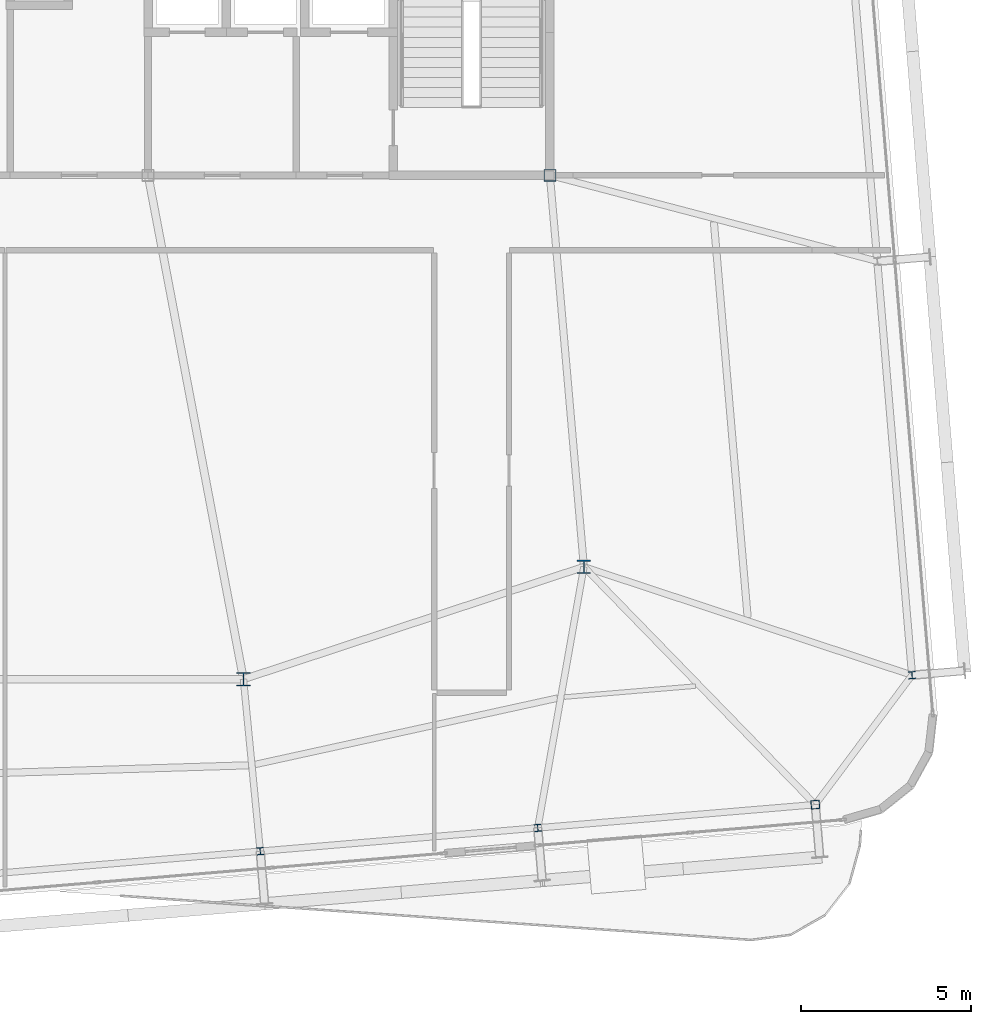
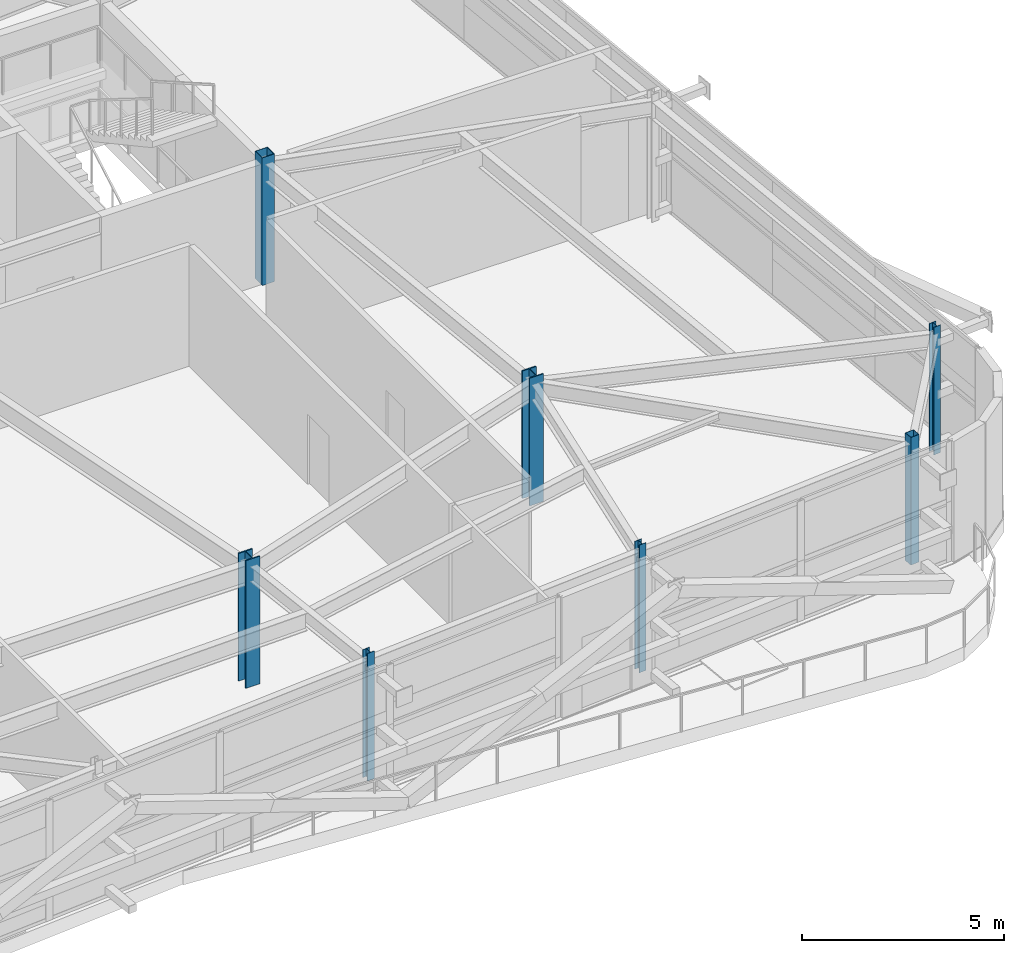
# One storey, part 3 of 38: 7 columns.
"""IFC4 building model written with IfcOpenShell, lengths in metres."""

from ifc_helpers import new_model, si_unit, direction, frame, origin, origin_2d, place, context, subcontext, project, spatial, hollow_rectangle, i_section, extrude, source, transform, mapped, material, material_profile, profile_set, type_object, element, save


model = new_model("IFC4")

# Units and contexts
model_context = context("Model", 3, precision=1e-05, world=origin(), true_north=direction((0.0, 1.0)))
body_context = subcontext(model_context, "Body", "Model", "MODEL_VIEW")
ifc_project = project(units=[si_unit("LENGTHUNIT", "METRE"), si_unit("AREAUNIT", "SQUARE_METRE"), si_unit("VOLUMEUNIT", "CUBIC_METRE"), si_unit("PLANEANGLEUNIT", "RADIAN"), si_unit("MASSUNIT", "GRAM", prefix="KILO")], contexts=[model_context])

# Site, building, storey
site_placement = place(None, origin())
site = spatial("IfcSite", under=ifc_project, at=site_placement, CompositionType="ELEMENT")
building_placement = place(site_placement, origin())
building = spatial("IfcBuilding", under=site, at=building_placement, Name="Taldren Reach Tower", CompositionType="ELEMENT")
storey_placement = place(building_placement, frame((0.0, 0.0, 168.699951171875)))
storey = spatial("IfcBuildingStorey", under=building, at=storey_placement, Name="L51", CompositionType="ELEMENT", Elevation=168.699951171875)

# Columns
ifc_material_1 = material(Name="Steel Gr 450 (C450L0)", Category="steel")
ifc_material_profile_1 = material_profile(ifc_material_1, hollow_rectangle(XDim=0.35009765625, YDim=0.35009765625, WallThickness=0.01611328125, at=origin_2d()), Name="350x350x16.0SHS")
ifc_profile_set_1 = profile_set([ifc_material_profile_1], Name="Steel Gr 450 (C450L0)")
column_type_1 = type_object("IfcColumnType", Name="COL-SHS350", PredefinedType="COLUMN", material=ifc_profile_set_1)
shared_shape_1 = source(origin(), body_context, "Body", "SweptSolid", [
    extrude(hollow_rectangle(XDim=0.35009765625, YDim=0.35009765625, WallThickness=0.01611328125, at=origin_2d()), origin(), (0.0, 0.0, 1.0), 3.85009765625),
])
column_1_placement = place(storey_placement, frame((51.0, 24.0, 0.0), z_axis=(0.0, 0.0, 1.0), x_axis=(1.0, 0.0, 0.0)))
element("IfcColumn", 1, at=column_1_placement, inside=storey, type_object=column_type_1, Name="Mega column MC-C4 L51", PredefinedType="COLUMN", context=body_context, shape_type="MappedRepresentation", body=[
    mapped(shared_shape_1, transform((0.0, 0.0, 0.0), scale=1.0)),
])
ifc_material_2 = material(Name="Steel Gr 350 (350PLUS)", Category="steel")
ifc_material_profile_2 = material_profile(ifc_material_2, i_section(OverallWidth=0.39990234375, OverallDepth=0.39599609375, WebThickness=0.02197265625, FlangeThickness=0.033935546875, at=origin_2d()), Name="400WC270")
ifc_profile_set_2 = profile_set([ifc_material_profile_2], Name="Steel Gr 350 (350PLUS)")
column_type_2 = type_object("IfcColumnType", Name="COL-WC400", PredefinedType="COLUMN", material=ifc_profile_set_2)
shared_shape_2 = source(origin(), body_context, "Body", "SweptSolid", [
    extrude(i_section(OverallWidth=0.39990234375, OverallDepth=0.39599609375, WebThickness=0.02197265625, FlangeThickness=0.033935546875, at=origin_2d()), origin(), (0.0, 0.0, 1.0), 3.85009765625),
])
for number, where, z_axis, x_axis, name in (
    (2, (42.0, 9.199951171875, 0.0), (0.0, 0.0, 1.0), (1.0, 0.0, 0.0), "Mega column MC-PJE L51"),
    (3, (52.0, 12.5, 0.0), (0.0, 0.0, 1.0), (1.0, 0.0, 0.0), "Mega column MC-SE L51"),
):
    element("IfcColumn", number, at=place(storey_placement, frame(where, z_axis=z_axis, x_axis=x_axis)), inside=storey, type_object=column_type_2, Name=name, PredefinedType="COLUMN", context=body_context, shape_type="MappedRepresentation", body=[
        mapped(shared_shape_2, transform((0.0, 0.0, 0.0), scale=1.0)),
    ])
ifc_material_3 = material(Name="Steel Gr 350 (C350L0)", Category="steel")
ifc_material_profile_3 = material_profile(ifc_material_3, hollow_rectangle(XDim=0.25, YDim=0.25, WallThickness=0.010009765625, at=origin_2d()), Name="250x250x10.0SHS")
ifc_profile_set_3 = profile_set([ifc_material_profile_3], Name="Steel Gr 350 (C350L0)")
column_type_3 = type_object("IfcColumnType", Name="COL-SHS250", PredefinedType="COLUMN", material=ifc_profile_set_3)
shared_shape_3 = source(origin(), body_context, "Body", "SweptSolid", [
    extrude(hollow_rectangle(XDim=0.25, YDim=0.25, WallThickness=0.010009765625, at=origin_2d()), origin(), (0.0, 0.0, 1.0), 3.85009765625),
])
column_2_placement = place(storey_placement, frame((58.796142578125, 5.516357421875, 0.0), z_axis=(0.0, 0.0, 1.0), x_axis=(0.99649285925, 0.083677843332, 0.0)))
element("IfcColumn", 4, at=column_2_placement, inside=storey, type_object=column_type_3, Name="Block B4 perimeter column S6 L51", PredefinedType="COLUMN", context=body_context, shape_type="MappedRepresentation", body=[
    mapped(shared_shape_3, transform((0.0, 0.0, 0.0), scale=1.0)),
])
ifc_material_profile_4 = material_profile(ifc_material_2, i_section(OverallWidth=0.205078125, OverallDepth=0.2099609375, WebThickness=0.00927734375, FlangeThickness=0.01416015625, at=origin_2d()), Name="200UC59.5")
ifc_profile_set_4 = profile_set([ifc_material_profile_4], Name="Steel Gr 350 (350PLUS)")
column_type_4 = type_object("IfcColumnType", Name="COL-UC200", PredefinedType="COLUMN", material=ifc_profile_set_4)
shared_shape_4 = source(origin(), body_context, "Body", "SweptSolid", [
    extrude(i_section(OverallWidth=0.205078125, OverallDepth=0.2099609375, WebThickness=0.00927734375, FlangeThickness=0.01416015625, at=origin_2d()), origin(), (0.0, 0.0, 1.0), 3.85009765625),
])
for number, where, z_axis, x_axis, name in (
    (5, (42.49365234375, 4.1474609375, 0.0), (0.0, 0.0, 1.0), (0.99649285925, 0.083677843332, 0.0), "Block B4 perimeter column S4 L51"),
    (6, (50.644775390625, 4.83203125, 0.0), (0.0, 0.0, 1.0), (0.99649285925, 0.083677843332, 0.0), "Block B4 perimeter column S5 L51"),
    (7, (61.63818359375, 9.317626953125, 0.0), (0.0, 0.0, 1.0), (0.99649285925, 0.083677843332, 0.0), "Block B4 perimeter column E1 L51"),
):
    element("IfcColumn", number, at=place(storey_placement, frame(where, z_axis=z_axis, x_axis=x_axis)), inside=storey, type_object=column_type_4, Name=name, PredefinedType="COLUMN", context=body_context, shape_type="MappedRepresentation", body=[
        mapped(shared_shape_4, transform((0.0, 0.0, 0.0), scale=1.0)),
    ])

save(model, "model.ifc")
